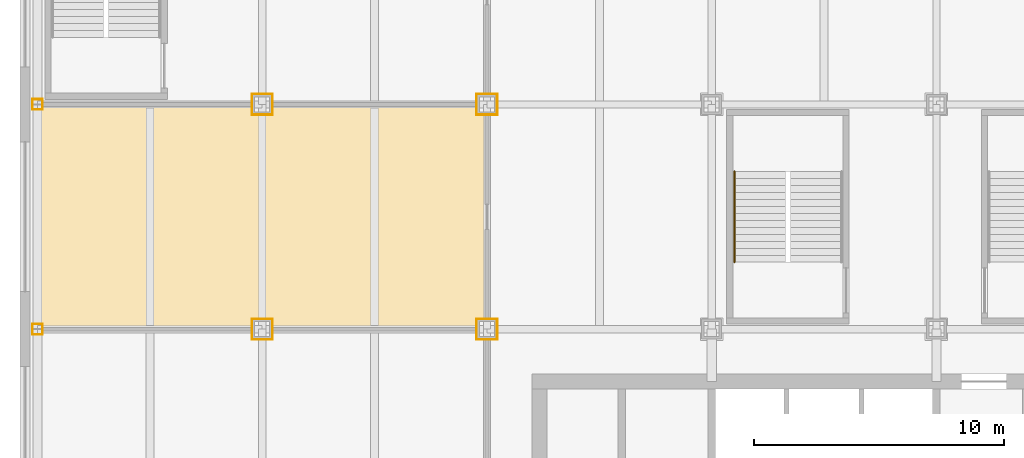
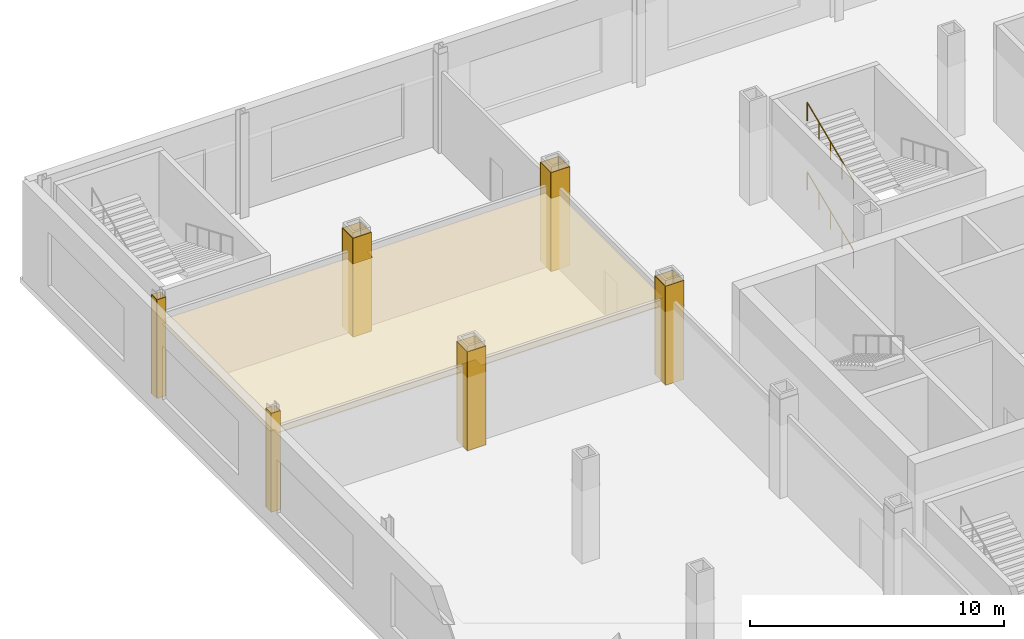
# One storey, part 25 of 31: 25 coverings, 2 railings.
"""IFC4 building model written with IfcOpenShell, lengths in metres."""

from ifc_helpers import new_model, si_unit, direction, frame, origin, origin_2d, place, context, subcontext, project, spatial, polyline, rectangle, circle, outline, extrude, material, layer, layer_set, type_object, element, save


model = new_model("IFC4")

# Units and contexts
model_context = context("Model", 3, precision=1e-05, world=origin(), true_north=direction((0.0, 1.0)))
body_context = subcontext(model_context, "Body", "Model", "MODEL_VIEW")
ifc_project = project(units=[si_unit("LENGTHUNIT", "METRE"), si_unit("AREAUNIT", "SQUARE_METRE"), si_unit("VOLUMEUNIT", "CUBIC_METRE"), si_unit("PLANEANGLEUNIT", "RADIAN"), si_unit("MASSUNIT", "GRAM", prefix="KILO")], contexts=[model_context])

# Site, building, storey
site_placement = place(None, origin())
site = spatial("IfcSite", under=ifc_project, at=site_placement, CompositionType="ELEMENT")
building_placement = place(site_placement, origin())
building = spatial("IfcBuilding", under=site, at=building_placement, Name="Loomwork Tower", CompositionType="ELEMENT")
storey_placement = place(building_placement, frame((0.0, 0.0, 11.0)))
storey = spatial("IfcBuildingStorey", under=building, at=storey_placement, Name="L02", CompositionType="ELEMENT", Elevation=11.0)

# Coverings
ifc_material_1 = material(Name="Two-hour fire-rated gypsum board casing")
ifc_layer_1 = layer(ifc_material_1, 0.02490234375)
ifc_layer_set_1 = layer_set([ifc_layer_1], Name="Column fire casing 25")
covering_type_1 = type_object("IfcCoveringType", Name="Column fire casing 25", PredefinedType="CLADDING", material=ifc_layer_set_1)
for number, where, z_axis, x_axis, name in (
    (1, (-9.0, 27.20947265625, 0.0), (0.0, 0.0, 1.0), (1.0, 0.0, 0.0), "Column casing -9 27 L02"),
    (2, (-9.0, 26.79052734375, 0.0), (0.0, 0.0, 1.0), (1.0, 0.0, 0.0), "Column casing -9 27 L02"),
):
    element("IfcCovering", number, at=place(storey_placement, frame(where, z_axis=z_axis, x_axis=x_axis)), inside=storey, type_object=covering_type_1, Name=name, PredefinedType="CLADDING", context=body_context, shape_type="SweptSolid", body=[
        extrude(rectangle(XDim=0.42578125, YDim=0.02490234375, at=origin_2d()), origin(), (0.0, 0.0, 1.0), 4.75),
    ])
for number, where, z_axis, x_axis, name in (
    (3, (-8.799560546875, 27.0, 0.0), (0.0, 0.0, 1.0), (1.0, 0.0, 0.0), "Column casing -9 27 L02"),
    (4, (-9.200439453125, 27.0, 0.0), (0.0, 0.0, 1.0), (1.0, 0.0, 0.0), "Column casing -9 27 L02"),
):
    element("IfcCovering", number, at=place(storey_placement, frame(where, z_axis=z_axis, x_axis=x_axis)), inside=storey, type_object=covering_type_1, Name=name, PredefinedType="CLADDING", context=body_context, shape_type="SweptSolid", body=[
        extrude(rectangle(XDim=0.02490234375, YDim=0.393798828125, at=origin_2d()), origin(), (0.0, 0.0, 1.0), 4.75),
    ])
for number, where, z_axis, x_axis, name in (
    (5, (-9.0, 36.20947265625, 0.0), (0.0, 0.0, 1.0), (1.0, 0.0, 0.0), "Column casing -9 36 L02"),
    (6, (-9.0, 35.79052734375, 0.0), (0.0, 0.0, 1.0), (1.0, 0.0, 0.0), "Column casing -9 36 L02"),
):
    element("IfcCovering", number, at=place(storey_placement, frame(where, z_axis=z_axis, x_axis=x_axis)), inside=storey, type_object=covering_type_1, Name=name, PredefinedType="CLADDING", context=body_context, shape_type="SweptSolid", body=[
        extrude(rectangle(XDim=0.42578125, YDim=0.02490234375, at=origin_2d()), origin(), (0.0, 0.0, 1.0), 4.75),
    ])
for number, where, z_axis, x_axis, name in (
    (7, (-8.799560546875, 36.0, 0.0), (0.0, 0.0, 1.0), (1.0, 0.0, 0.0), "Column casing -9 36 L02"),
    (8, (-9.200439453125, 36.0, 0.0), (0.0, 0.0, 1.0), (1.0, 0.0, 0.0), "Column casing -9 36 L02"),
):
    element("IfcCovering", number, at=place(storey_placement, frame(where, z_axis=z_axis, x_axis=x_axis)), inside=storey, type_object=covering_type_1, Name=name, PredefinedType="CLADDING", context=body_context, shape_type="SweptSolid", body=[
        extrude(rectangle(XDim=0.02490234375, YDim=0.393798828125, at=origin_2d()), origin(), (0.0, 0.0, 1.0), 4.75),
    ])
for number, where, z_axis, x_axis, name in (
    (9, (0.0, 27.41259765625, 0.0), (0.0, 0.0, 1.0), (1.0, 0.0, 0.0), "Column casing 0 27 L02"),
    (10, (0.0, 26.58740234375, 0.0), (0.0, 0.0, 1.0), (1.0, 0.0, 0.0), "Column casing 0 27 L02"),
):
    element("IfcCovering", number, at=place(storey_placement, frame(where, z_axis=z_axis, x_axis=x_axis)), inside=storey, type_object=covering_type_1, Name=name, PredefinedType="CLADDING", context=body_context, shape_type="SweptSolid", body=[
        extrude(rectangle(XDim=0.85009765625, YDim=0.02490234375, at=origin_2d()), origin(), (0.0, 0.0, 1.0), 4.75),
    ])
for number, where, z_axis, x_axis, name in (
    (11, (0.41259765625, 27.0, 0.0), (0.0, 0.0, 1.0), (1.0, 0.0, 0.0), "Column casing 0 27 L02"),
    (12, (-0.41259765625, 27.0, 0.0), (0.0, 0.0, 1.0), (1.0, 0.0, 0.0), "Column casing 0 27 L02"),
):
    element("IfcCovering", number, at=place(storey_placement, frame(where, z_axis=z_axis, x_axis=x_axis)), inside=storey, type_object=covering_type_1, Name=name, PredefinedType="CLADDING", context=body_context, shape_type="SweptSolid", body=[
        extrude(rectangle(XDim=0.02490234375, YDim=0.800048828125, at=origin_2d()), origin(), (0.0, 0.0, 1.0), 4.75),
    ])
for number, where, z_axis, x_axis, name in (
    (13, (0.0, 36.41259765625, 0.0), (0.0, 0.0, 1.0), (1.0, 0.0, 0.0), "Column casing 0 36 L02"),
    (14, (0.0, 35.58740234375, 0.0), (0.0, 0.0, 1.0), (1.0, 0.0, 0.0), "Column casing 0 36 L02"),
):
    element("IfcCovering", number, at=place(storey_placement, frame(where, z_axis=z_axis, x_axis=x_axis)), inside=storey, type_object=covering_type_1, Name=name, PredefinedType="CLADDING", context=body_context, shape_type="SweptSolid", body=[
        extrude(rectangle(XDim=0.85009765625, YDim=0.02490234375, at=origin_2d()), origin(), (0.0, 0.0, 1.0), 4.75),
    ])
for number, where, z_axis, x_axis, name in (
    (15, (0.41259765625, 36.0, 0.0), (0.0, 0.0, 1.0), (1.0, 0.0, 0.0), "Column casing 0 36 L02"),
    (16, (-0.41259765625, 36.0, 0.0), (0.0, 0.0, 1.0), (1.0, 0.0, 0.0), "Column casing 0 36 L02"),
):
    element("IfcCovering", number, at=place(storey_placement, frame(where, z_axis=z_axis, x_axis=x_axis)), inside=storey, type_object=covering_type_1, Name=name, PredefinedType="CLADDING", context=body_context, shape_type="SweptSolid", body=[
        extrude(rectangle(XDim=0.02490234375, YDim=0.800048828125, at=origin_2d()), origin(), (0.0, 0.0, 1.0), 4.75),
    ])
for number, where, z_axis, x_axis, name in (
    (17, (9.0, 27.41259765625, 0.0), (0.0, 0.0, 1.0), (1.0, 0.0, 0.0), "Column casing 9 27 L02"),
    (18, (9.0, 26.58740234375, 0.0), (0.0, 0.0, 1.0), (1.0, 0.0, 0.0), "Column casing 9 27 L02"),
):
    element("IfcCovering", number, at=place(storey_placement, frame(where, z_axis=z_axis, x_axis=x_axis)), inside=storey, type_object=covering_type_1, Name=name, PredefinedType="CLADDING", context=body_context, shape_type="SweptSolid", body=[
        extrude(rectangle(XDim=0.85009765625, YDim=0.02490234375, at=origin_2d()), origin(), (0.0, 0.0, 1.0), 4.75),
    ])
for number, where, z_axis, x_axis, name in (
    (19, (9.41259765625, 27.0, 0.0), (0.0, 0.0, 1.0), (1.0, 0.0, 0.0), "Column casing 9 27 L02"),
    (20, (8.58740234375, 27.0, 0.0), (0.0, 0.0, 1.0), (1.0, 0.0, 0.0), "Column casing 9 27 L02"),
):
    element("IfcCovering", number, at=place(storey_placement, frame(where, z_axis=z_axis, x_axis=x_axis)), inside=storey, type_object=covering_type_1, Name=name, PredefinedType="CLADDING", context=body_context, shape_type="SweptSolid", body=[
        extrude(rectangle(XDim=0.02490234375, YDim=0.800048828125, at=origin_2d()), origin(), (0.0, 0.0, 1.0), 4.75),
    ])
for number, where, z_axis, x_axis, name in (
    (21, (9.0, 36.41259765625, 0.0), (0.0, 0.0, 1.0), (1.0, 0.0, 0.0), "Column casing 9 36 L02"),
    (22, (9.0, 35.58740234375, 0.0), (0.0, 0.0, 1.0), (1.0, 0.0, 0.0), "Column casing 9 36 L02"),
):
    element("IfcCovering", number, at=place(storey_placement, frame(where, z_axis=z_axis, x_axis=x_axis)), inside=storey, type_object=covering_type_1, Name=name, PredefinedType="CLADDING", context=body_context, shape_type="SweptSolid", body=[
        extrude(rectangle(XDim=0.85009765625, YDim=0.02490234375, at=origin_2d()), origin(), (0.0, 0.0, 1.0), 4.75),
    ])
for number, where, z_axis, x_axis, name in (
    (23, (9.41259765625, 36.0, 0.0), (0.0, 0.0, 1.0), (1.0, 0.0, 0.0), "Column casing 9 36 L02"),
    (24, (8.58740234375, 36.0, 0.0), (0.0, 0.0, 1.0), (1.0, 0.0, 0.0), "Column casing 9 36 L02"),
):
    element("IfcCovering", number, at=place(storey_placement, frame(where, z_axis=z_axis, x_axis=x_axis)), inside=storey, type_object=covering_type_1, Name=name, PredefinedType="CLADDING", context=body_context, shape_type="SweptSolid", body=[
        extrude(rectangle(XDim=0.02490234375, YDim=0.800048828125, at=origin_2d()), origin(), (0.0, 0.0, 1.0), 4.75),
    ])

# Railings
ifc_material_2 = material(Name="Stainless steel handrail", Category="steel")
railing_type = type_object("IfcRailingType", Name="Handrail 900", PredefinedType="HANDRAIL", material=ifc_material_2)
railing_1_placement = place(storey_placement, frame((18.909912109375, 29.679931640625, 0.118896484375)))
element("IfcRailing", 25, at=railing_1_placement, inside=storey, type_object=railing_type, Name="Podium stair PS10 handrail flight 1 L02", PredefinedType="HANDRAIL", context=body_context, shape_type="SweptSolid", body=[
    extrude(circle(Radius=0.02392578125, at=origin_2d()), frame((0.0, 0.0, 0.8759765625), z_axis=(0.0, 0.920258693564, 0.391310537706), x_axis=(-1.0, 0.0, 0.0)), (0.0, 0.0, 1.0), 3.95556640625),
    extrude(circle(Radius=0.02099609375, at=origin_2d()), origin(), (0.0, 0.0, 1.0), 0.851806640625),
    extrude(circle(Radius=0.02099609375, at=origin_2d()), frame((0.0, 0.91015625, 0.386962890625)), (0.0, 0.0, 1.0), 0.851806640625),
    extrude(circle(Radius=0.02099609375, at=origin_2d()), frame((0.0, 1.820068359375, 0.77392578125)), (0.0, 0.0, 1.0), 0.851806640625),
    extrude(circle(Radius=0.02099609375, at=origin_2d()), frame((0.0, 2.72998046875, 1.160888671875)), (0.0, 0.0, 1.0), 0.851806640625),
    extrude(circle(Radius=0.02099609375, at=origin_2d()), frame((0.0, 3.64013671875, 1.5478515625)), (0.0, 0.0, 1.0), 0.851806640625),
])
railing_2_placement = place(storey_placement, frame((18.909912109375, 29.679931640625, 3.452392578125)))
element("IfcRailing", 26, at=railing_2_placement, inside=storey, type_object=railing_type, Name="Podium stair PS10 handrail flight 3 L02", PredefinedType="HANDRAIL", context=body_context, shape_type="SweptSolid", body=[
    extrude(circle(Radius=0.02392578125, at=origin_2d()), frame((0.0, 0.0, 0.8759765625), z_axis=(0.0, 0.920280918742, 0.391258265855), x_axis=(-1.0, 0.0, 0.0)), (0.0, 0.0, 1.0), 3.95556640625),
    extrude(circle(Radius=0.02099609375, at=origin_2d()), origin(), (0.0, 0.0, 1.0), 0.851806640625),
    extrude(circle(Radius=0.02099609375, at=origin_2d()), frame((0.0, 0.91015625, 0.386962890625)), (0.0, 0.0, 1.0), 0.851806640625),
    extrude(circle(Radius=0.02099609375, at=origin_2d()), frame((0.0, 1.820068359375, 0.77392578125)), (0.0, 0.0, 1.0), 0.851806640625),
    extrude(circle(Radius=0.02099609375, at=origin_2d()), frame((0.0, 2.72998046875, 1.16064453125)), (0.0, 0.0, 1.0), 0.851806640625),
    extrude(circle(Radius=0.02099609375, at=origin_2d()), frame((0.0, 3.64013671875, 1.547607421875)), (0.0, 0.0, 1.0), 0.851806640625),
])

# Covering
ifc_material_3 = material(Name="Mineral fibre acoustic tile on suspension grid")
ifc_layer_2 = layer(ifc_material_3, 0.02490234375)
ifc_layer_set_2 = layer_set([ifc_layer_2], Name="Suspended acoustic ceiling")
covering_type_2 = type_object("IfcCoveringType", Name="Suspended acoustic ceiling", PredefinedType="CEILING", material=ifc_layer_set_2)
covering_placement = place(storey_placement, frame((0.0, 0.0, 3.52490234375)))
element("IfcCovering", 27, at=covering_placement, inside=storey, type_object=covering_type_2, Name="Ceiling Conference office L02", PredefinedType="CEILING", context=body_context, shape_type="SweptSolid", body=[
    extrude(outline(polyline([(-0.449951171875, 36.0), (-0.449951171875, 35.550048828125), (0.449951171875, 35.550048828125), (0.449951171875, 36.0), (8.550048828125, 36.0), (8.550048828125, 35.550048828125), (9.0, 35.550048828125), (9.0, 27.449951171875), (8.550048828125, 27.449951171875), (8.550048828125, 27.0), (0.449951171875, 27.0), (0.449951171875, 27.449951171875), (-0.449951171875, 27.449951171875), (-0.449951171875, 27.0), (-8.761962890625, 27.0), (-8.761962890625, 27.246826171875), (-9.0, 27.246826171875), (-9.0, 35.753173828125), (-8.761962890625, 35.753173828125), (-8.761962890625, 36.0), (-0.449951171875, 36.0)])), origin(), (0.0, 0.0, 1.0), 0.025146484375),
])

save(model, "model.ifc")
